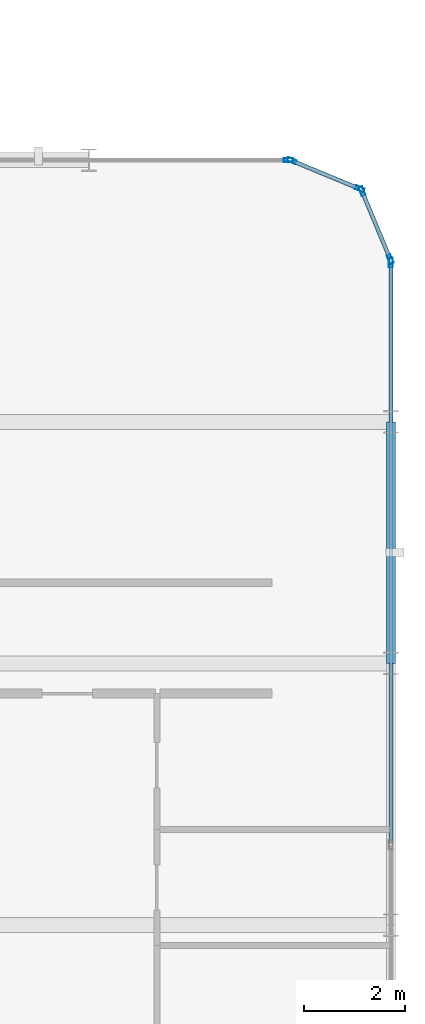
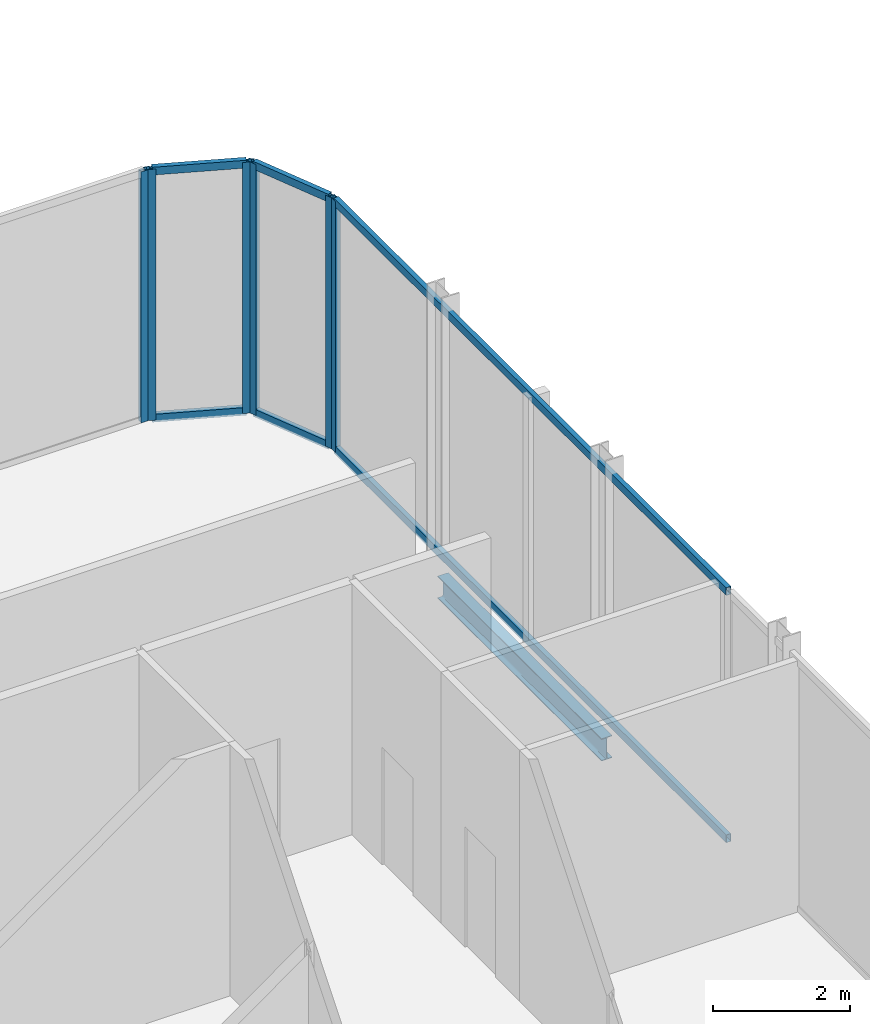
# One storey, part 15 of 29: 12 members, 1 beam, 4 elements without a shape of their own.
"""IFC4 building model written with IfcOpenShell, lengths in metres."""

from ifc_helpers import new_model, si_unit, direction, frame, origin, origin_2d, place, context, subcontext, project, spatial, hollow_rectangle, i_section, extrude, material, layer, layer_set, material_profile, profile_set, type_object, element, aggregate, save


model = new_model("IFC4")

# Units and contexts
model_context = context("Model", 3, precision=1e-05, world=origin(), true_north=direction((0.0, 1.0)))
body_context = subcontext(model_context, "Body", "Model", "MODEL_VIEW")
ifc_project = project(units=[si_unit("LENGTHUNIT", "METRE"), si_unit("AREAUNIT", "SQUARE_METRE"), si_unit("VOLUMEUNIT", "CUBIC_METRE"), si_unit("PLANEANGLEUNIT", "RADIAN"), si_unit("MASSUNIT", "GRAM", prefix="KILO")], contexts=[model_context])

# Site, building, storey
site_placement = place(None, origin())
site = spatial("IfcSite", under=ifc_project, at=site_placement, CompositionType="ELEMENT")
building_placement = place(site_placement, origin())
building = spatial("IfcBuilding", under=site, at=building_placement, Name="Keshet Zoharim Tower", CompositionType="ELEMENT")
storey_placement = place(building_placement, frame((0.0, 0.0, 218.0)))
storey = spatial("IfcBuildingStorey", under=building, at=storey_placement, Name="L54", CompositionType="ELEMENT", Elevation=218.0)

# Beam
ifc_material_1 = material(Name="Steel S355", Category="steel")
ifc_material_profile_1 = material_profile(ifc_material_1, i_section(OverallWidth=0.179931640625, OverallDepth=0.39990234375, WebThickness=0.008544921875, FlangeThickness=0.013427734375, FilletRadius=0.02099609375, at=origin_2d()), Name="IPE400")
ifc_profile_set_1 = profile_set([ifc_material_profile_1], Name="Steel S355")
beam_type = type_object("IfcBeamType", Name="BM-PRI-IP400", PredefinedType="BEAM", material=ifc_profile_set_1)
beam_placement = place(storey_placement, frame((57.0, 17.89990234375, -0.52001953125), z_axis=(0.0, 1.0, 0.0), x_axis=(-1.0, 0.0, 0.0)))
element("IfcBeam", 1, at=beam_placement, inside=storey, type_object=beam_type, Name="L54 Primary Girder Y-015", PredefinedType="BEAM", context=body_context, shape_type="SweptSolid", body=[
    extrude(i_section(OverallWidth=0.179931640625, OverallDepth=0.39990234375, WebThickness=0.008544921875, FlangeThickness=0.013427734375, FilletRadius=0.02099609375, at=origin_2d()), origin(), (0.0, 0.0, 1.0), 4.800048828125),
])

# Curtain wall, members
ifc_material_2 = material(Name="Aluminium 6063-T6", Category="aluminium")
ifc_layer = layer(ifc_material_2, 0.14990234375)
ifc_layer_set = layer_set([ifc_layer], Name="Aluminium 6063-T6")
curtain_wall_type = type_object("IfcCurtainWallType", Name="CW-SYS-04", PredefinedType="NOTDEFINED", material=ifc_layer_set)
curtain_wall_1_placement = place(storey_placement, origin())
curtain_wall_1 = element("IfcCurtainWall", 2, at=curtain_wall_1_placement, inside=storey, type_object=curtain_wall_type, Name="L54 Unitised Curtain Wall 01", PredefinedType="NOTDEFINED")
ifc_material_profile_2 = material_profile(ifc_material_2, hollow_rectangle(XDim=0.080078125, YDim=0.179931640625, WallThickness=0.00439453125, at=origin_2d()), Name="MUL-80x180")
ifc_profile_set_2 = profile_set([ifc_material_profile_2], Name="Aluminium 6063-T6")
member_type_1 = type_object("IfcMemberType", Name="CWM-M18", PredefinedType="MULLION", material=ifc_profile_set_2)
member_1_placement = place(storey_placement, frame((55.0322265625, 27.88671875, 0.0), z_axis=(0.0, 0.0, 1.0), x_axis=(0.382851849847, 0.92380975372, 0.0)))
member_1 = element("IfcMember", 3, at=member_1_placement, type_object=member_type_1, Name="CW-04 mullion 1", PredefinedType="MULLION", context=body_context, shape_type="SweptSolid", body=[
    extrude(hollow_rectangle(XDim=0.080078125, YDim=0.179931640625, WallThickness=0.00439453125, at=origin_2d()), origin(), (0.0, 0.0, 1.0), 4.489990234375),
])
member_2_placement = place(storey_placement, frame((56.381591796875, 27.327392578125, 0.0), z_axis=(0.0, 0.0, 1.0), x_axis=(0.382851849847, 0.92380975372, 0.0)))
member_2 = element("IfcMember", 4, at=member_2_placement, type_object=member_type_1, Name="CW-04 mullion 2", PredefinedType="MULLION", context=body_context, shape_type="SweptSolid", body=[
    extrude(hollow_rectangle(XDim=0.080078125, YDim=0.179931640625, WallThickness=0.00439453125, at=origin_2d()), origin(), (0.0, 0.0, 1.0), 4.489990234375),
])

curtain_wall_2_placement = place(storey_placement, origin())
curtain_wall_2 = element("IfcCurtainWall", 5, at=curtain_wall_2_placement, inside=storey, type_object=curtain_wall_type, Name="L54 Unitised Curtain Wall 02", PredefinedType="NOTDEFINED")
member_3_placement = place(storey_placement, frame((56.427490234375, 27.28173828125, 0.0), z_axis=(0.0, 0.0, 1.0), x_axis=(0.92380975372, 0.382851849847, 0.0)))
member_3 = element("IfcMember", 6, at=member_3_placement, type_object=member_type_1, Name="CW-04 mullion 1", PredefinedType="MULLION", context=body_context, shape_type="SweptSolid", body=[
    extrude(hollow_rectangle(XDim=0.080078125, YDim=0.179931640625, WallThickness=0.00439453125, at=origin_2d()), origin(), (0.0, 0.0, 1.0), 4.489990234375),
])
member_4_placement = place(storey_placement, frame((56.986572265625, 25.932373046875, 0.0), z_axis=(0.0, 0.0, 1.0), x_axis=(0.92380975372, 0.382851849847, 0.0)))
member_4 = element("IfcMember", 7, at=member_4_placement, type_object=member_type_1, Name="CW-04 mullion 2", PredefinedType="MULLION", context=body_context, shape_type="SweptSolid", body=[
    extrude(hollow_rectangle(XDim=0.080078125, YDim=0.179931640625, WallThickness=0.00439453125, at=origin_2d()), origin(), (0.0, 0.0, 1.0), 4.489990234375),
])

# Curtain wall, member
curtain_wall_3_placement = place(storey_placement, origin())
curtain_wall_3 = element("IfcCurtainWall", 8, at=curtain_wall_3_placement, inside=storey, type_object=curtain_wall_type, Name="L54 Unitised Curtain Wall 03", PredefinedType="NOTDEFINED")
member_5_placement = place(storey_placement, frame((57.0, 25.864990234375, 0.0), z_axis=(0.0, 0.0, 1.0), x_axis=(1.0, 0.0, 0.0)))
member_5 = element("IfcMember", 9, at=member_5_placement, type_object=member_type_1, Name="CW-04 mullion 1", PredefinedType="MULLION", context=body_context, shape_type="SweptSolid", body=[
    extrude(hollow_rectangle(XDim=0.080078125, YDim=0.179931640625, WallThickness=0.00439453125, at=origin_2d()), origin(), (0.0, 0.0, 1.0), 4.489990234375),
])

curtain_wall_4_placement = place(storey_placement, origin())
curtain_wall_4 = element("IfcCurtainWall", 10, at=curtain_wall_4_placement, inside=storey, type_object=curtain_wall_type, Name="L54 Unitised Curtain Wall 20 Part 2", PredefinedType="NOTDEFINED")
member_6_placement = place(storey_placement, frame((54.965087890625, 27.89990234375, 0.0), z_axis=(0.0, 0.0, 1.0), x_axis=(0.0, 1.0, 0.0)))
member_6 = element("IfcMember", 11, at=member_6_placement, type_object=member_type_1, Name="CW-04 mullion 2", PredefinedType="MULLION", context=body_context, shape_type="SweptSolid", body=[
    extrude(hollow_rectangle(XDim=0.080078125, YDim=0.179931640625, WallThickness=0.00439453125, at=origin_2d()), origin(), (0.0, 0.0, 1.0), 4.489990234375),
])
aggregate(curtain_wall_4, [member_6])

# Member
ifc_material_profile_3 = material_profile(ifc_material_2, hollow_rectangle(XDim=0.080078125, YDim=0.139892578125, WallThickness=0.00390625, at=origin_2d()), Name="TRN-80x140")
ifc_profile_set_3 = profile_set([ifc_material_profile_3], Name="Aluminium 6063-T6")
member_type_2 = type_object("IfcMemberType", Name="CWT-T14", PredefinedType="USERDEFINED", material=ifc_profile_set_3)
member_7_placement = place(storey_placement, frame((55.064697265625, 27.873291015625, 0.034912109375), z_axis=(0.92379209995, -0.382894445076, 0.0), x_axis=(0.382894445076, 0.92379209995, 0.0)))
member_7 = element("IfcMember", 12, at=member_7_placement, type_object=member_type_2, Name="CW-04 transom 1.1", ObjectType="TRANSOM", PredefinedType="USERDEFINED", context=body_context, shape_type="SweptSolid", body=[
    extrude(hollow_rectangle(XDim=0.080078125, YDim=0.139892578125, WallThickness=0.00390625, at=origin_2d()), origin(), (0.0, 0.0, 1.0), 1.390625),
])

member_8_placement = place(storey_placement, frame((55.064697265625, 27.873291015625, 4.455078125), z_axis=(0.92379209995, -0.382894445076, 0.0), x_axis=(0.382894445076, 0.92379209995, 0.0)))
member_8 = element("IfcMember", 13, at=member_8_placement, type_object=member_type_2, Name="CW-04 transom 1.2", ObjectType="TRANSOM", PredefinedType="USERDEFINED", context=body_context, shape_type="SweptSolid", body=[
    extrude(hollow_rectangle(XDim=0.080078125, YDim=0.139892578125, WallThickness=0.00390625, at=origin_2d()), origin(), (0.0, 0.0, 1.0), 1.390625),
])

aggregate(curtain_wall_1, [member_1, member_2, member_7, member_8])

member_9_placement = place(storey_placement, frame((56.44091796875, 27.249267578125, 0.034912109375), z_axis=(0.382744609247, -0.923854189844, 0.0), x_axis=(0.923854189844, 0.382744609247, 0.0)))
member_9 = element("IfcMember", 14, at=member_9_placement, type_object=member_type_2, Name="CW-04 transom 1.1", ObjectType="TRANSOM", PredefinedType="USERDEFINED", context=body_context, shape_type="SweptSolid", body=[
    extrude(hollow_rectangle(XDim=0.080078125, YDim=0.139892578125, WallThickness=0.00390625, at=origin_2d()), origin(), (0.0, 0.0, 1.0), 1.390625),
])

member_10_placement = place(storey_placement, frame((56.44091796875, 27.249267578125, 4.455078125), z_axis=(0.382744609247, -0.923854189844, 0.0), x_axis=(0.923854189844, 0.382744609247, 0.0)))
member_10 = element("IfcMember", 15, at=member_10_placement, type_object=member_type_2, Name="CW-04 transom 1.2", ObjectType="TRANSOM", PredefinedType="USERDEFINED", context=body_context, shape_type="SweptSolid", body=[
    extrude(hollow_rectangle(XDim=0.080078125, YDim=0.139892578125, WallThickness=0.00390625, at=origin_2d()), origin(), (0.0, 0.0, 1.0), 1.390625),
])

aggregate(curtain_wall_2, [member_3, member_4, member_9, member_10])

member_11_placement = place(storey_placement, frame((57.0, 25.830078125, 0.034912109375), z_axis=(0.0, -1.0, 0.0), x_axis=(1.0, 0.0, 0.0)))
member_11 = element("IfcMember", 16, at=member_11_placement, type_object=member_type_2, Name="CW-04 transom 1.1", ObjectType="TRANSOM", PredefinedType="USERDEFINED", context=body_context, shape_type="SweptSolid", body=[
    extrude(hollow_rectangle(XDim=0.080078125, YDim=0.139892578125, WallThickness=0.00390625, at=origin_2d()), origin(), (0.0, 0.0, 1.0), 11.4951171875),
])

member_12_placement = place(storey_placement, frame((57.0, 25.830078125, 4.455078125), z_axis=(0.0, -1.0, 0.0), x_axis=(1.0, 0.0, 0.0)))
member_12 = element("IfcMember", 17, at=member_12_placement, type_object=member_type_2, Name="CW-04 transom 1.2", ObjectType="TRANSOM", PredefinedType="USERDEFINED", context=body_context, shape_type="SweptSolid", body=[
    extrude(hollow_rectangle(XDim=0.080078125, YDim=0.139892578125, WallThickness=0.00390625, at=origin_2d()), origin(), (0.0, 0.0, 1.0), 11.4951171875),
])

aggregate(curtain_wall_3, [member_5, member_11, member_12])

save(model, "model.ifc")
